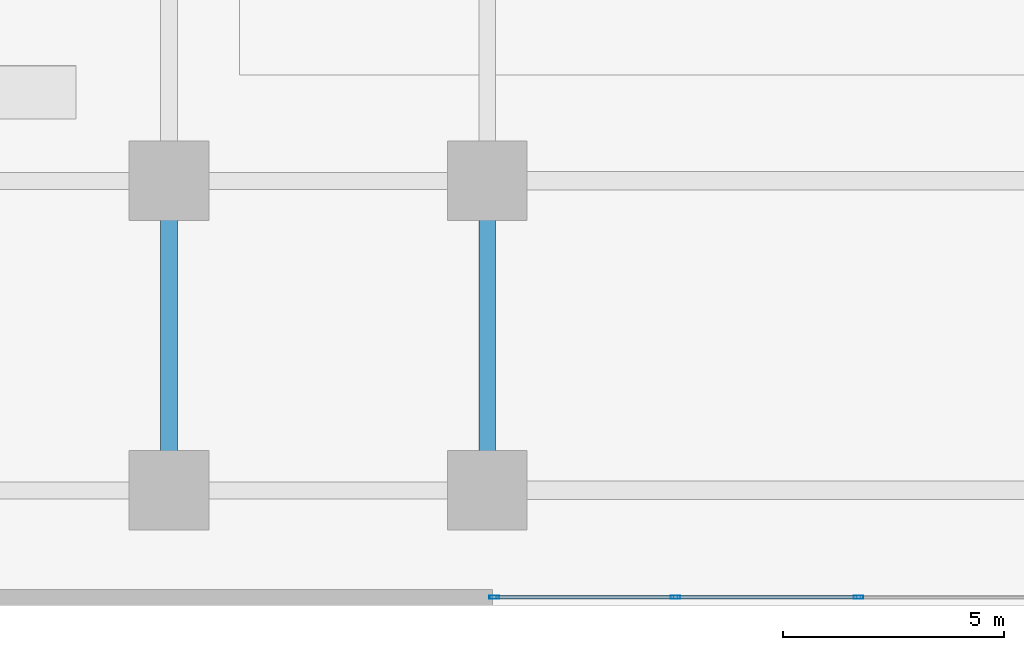
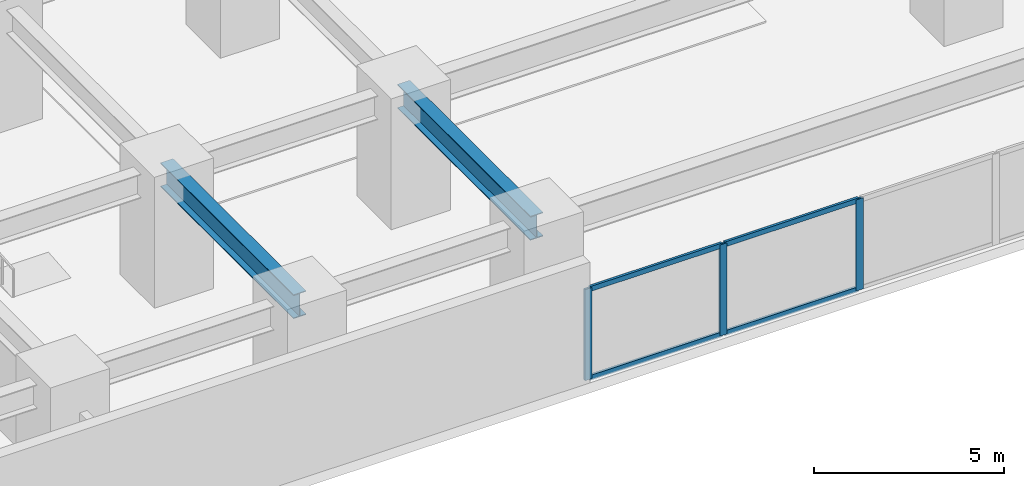
# One storey, part 2 of 22: 7 members, 2 beams, 1 element without a shape of its own.
"""IFC4 building model written with IfcOpenShell, lengths in metres."""

from ifc_helpers import new_model, si_unit, direction, frame, origin, origin_2d, place, context, subcontext, project, spatial, hollow_rectangle, i_section, extrude, material, layer, layer_set, material_profile, profile_set, type_object, element, aggregate, save


model = new_model("IFC4")

# Units and contexts
model_context = context("Model", 3, precision=1e-05, world=origin(), true_north=direction((0.0, 1.0)))
body_context = subcontext(model_context, "Body", "Model", "MODEL_VIEW")
ifc_project = project(units=[si_unit("LENGTHUNIT", "METRE"), si_unit("AREAUNIT", "SQUARE_METRE"), si_unit("VOLUMEUNIT", "CUBIC_METRE"), si_unit("PLANEANGLEUNIT", "RADIAN"), si_unit("MASSUNIT", "GRAM", prefix="KILO")], contexts=[model_context])

# Site, building, storey
site_placement = place(None, origin())
site = spatial("IfcSite", under=ifc_project, at=site_placement, CompositionType="ELEMENT")
building_placement = place(site_placement, origin())
building = spatial("IfcBuilding", under=site, at=building_placement, Name="Kiyonajd Concourse Tower", CompositionType="ELEMENT")
storey_placement = place(building_placement, frame((0.0, 0.0, 4.5)))
storey = spatial("IfcBuildingStorey", under=building, at=storey_placement, Name="L02", CompositionType="ELEMENT", Elevation=4.5)

# Beams
ifc_material_1 = material(Name="Steel ASTM A992 Grade 50", Category="steel")
ifc_material_profile_1 = material_profile(ifc_material_1, i_section(OverallWidth=0.381103515625, OverallDepth=0.77294921875, WebThickness=0.0166015625, FlangeThickness=0.027099609375, at=origin_2d()), Name="W760X257")
ifc_profile_set_1 = profile_set([ifc_material_profile_1], Name="Steel ASTM A992 Grade 50")
beam_type = type_object("IfcBeamType", Name="BM-POD-760", PredefinedType="BEAM", material=ifc_profile_set_1)
for number, where, z_axis, x_axis, name in (
    (1, (32.39990234375, 2.60009765625, 3.493408203125), (0.0, 1.0, 0.0), (-1.0, 0.0, 0.0), "L02 Podium North South Beam"),
    (2, (39.60009765625, 2.60009765625, 3.493408203125), (0.0, 1.0, 0.0), (-1.0, 0.0, 0.0), "L02 Podium North South Beam"),
):
    element("IfcBeam", number, at=place(storey_placement, frame(where, z_axis=z_axis, x_axis=x_axis)), inside=storey, type_object=beam_type, Name=name, PredefinedType="BEAM", context=body_context, shape_type="SweptSolid", body=[
        extrude(i_section(OverallWidth=0.381103515625, OverallDepth=0.77294921875, WebThickness=0.0166015625, FlangeThickness=0.027099609375, at=origin_2d()), origin(), (0.0, 0.0, 1.0), 7.0),
    ])

# Curtain wall, members
ifc_material_2 = material(Name="Thermally Broken Anodised Aluminium", Category="aluminium")
ifc_layer = layer(ifc_material_2, 0.179931640625)
ifc_layer_set = layer_set([ifc_layer], Name="Thermally Broken Anodised Aluminium")
curtain_wall_type = type_object("IfcCurtainWallType", Name="CW-SYS-01", PredefinedType="NOTDEFINED", material=ifc_layer_set)
curtain_wall_placement = place(storey_placement, origin())
curtain_wall = element("IfcCurtainWall", 3, at=curtain_wall_placement, inside=storey, type_object=curtain_wall_type, Name="L02 Unitised Curtain Wall CW1", PredefinedType="NOTDEFINED")
ifc_material_profile_2 = material_profile(ifc_material_2, hollow_rectangle(XDim=0.074951171875, YDim=0.219970703125, WallThickness=0.0048828125, at=origin_2d()), Name="MULL-75x220")
ifc_profile_set_2 = profile_set([ifc_material_profile_2], Name="Thermally Broken Anodised Aluminium")
member_type_1 = type_object("IfcMemberType", Name="MB-CW-MULL2", PredefinedType="MULLION", material=ifc_profile_set_2)
member_1_placement = place(storey_placement, frame((48.0, 0.179931640625, 0.0), z_axis=(0.0, 0.0, 1.0), x_axis=(0.0, -1.0, 0.0)))
member_1 = element("IfcMember", 4, at=member_1_placement, type_object=member_type_1, Name="CW1 mullion 3", PredefinedType="MULLION", context=body_context, shape_type="SweptSolid", body=[
    extrude(hollow_rectangle(XDim=0.074951171875, YDim=0.219970703125, WallThickness=0.0048828125, at=origin_2d()), origin(), (0.0, 0.0, 1.0), 2.929931640625),
])
member_2_placement = place(storey_placement, frame((43.860107421875, 0.179931640625, 0.0), z_axis=(0.0, 0.0, 1.0), x_axis=(0.0, -1.0, 0.0)))
member_2 = element("IfcMember", 5, at=member_2_placement, type_object=member_type_1, Name="CW1 mullion 4", PredefinedType="MULLION", context=body_context, shape_type="SweptSolid", body=[
    extrude(hollow_rectangle(XDim=0.074951171875, YDim=0.219970703125, WallThickness=0.0048828125, at=origin_2d()), origin(), (0.0, 0.0, 1.0), 2.929931640625),
])
member_3_placement = place(storey_placement, frame((39.757568359375, 0.179931640625, 0.0), z_axis=(0.0, 0.0, 1.0), x_axis=(0.0, -1.0, 0.0)))
member_3 = element("IfcMember", 6, at=member_3_placement, type_object=member_type_1, Name="CW1 mullion 5", PredefinedType="MULLION", context=body_context, shape_type="SweptSolid", body=[
    extrude(hollow_rectangle(XDim=0.074951171875, YDim=0.219970703125, WallThickness=0.0048828125, at=origin_2d()), origin(), (0.0, 0.0, 1.0), 2.929931640625),
])
ifc_material_profile_3 = material_profile(ifc_material_2, hollow_rectangle(XDim=0.074951171875, YDim=0.159912109375, WallThickness=0.0048828125, at=origin_2d()), Name="TRAN-75x160")
ifc_profile_set_3 = profile_set([ifc_material_profile_3], Name="Thermally Broken Anodised Aluminium")
member_type_2 = type_object("IfcMemberType", Name="MB-CW-TRAN2", PredefinedType="USERDEFINED", material=ifc_profile_set_3)
member_4_placement = place(storey_placement, frame((47.96240234375, 0.179931640625, 0.03759765625), z_axis=(-1.0, 0.0, 0.0), x_axis=(0.0, -1.0, 0.0)))
member_4 = element("IfcMember", 7, at=member_4_placement, type_object=member_type_2, Name="CW1 transom 3.1", ObjectType="TRANSOM", PredefinedType="USERDEFINED", context=body_context, shape_type="SweptSolid", body=[
    extrude(hollow_rectangle(XDim=0.074951171875, YDim=0.159912109375, WallThickness=0.0048828125, at=origin_2d()), origin(), (0.0, 0.0, 1.0), 4.06494140625),
])
member_5_placement = place(storey_placement, frame((47.96240234375, 0.179931640625, 2.892578125), z_axis=(-1.0, 0.0, 0.0), x_axis=(0.0, -1.0, 0.0)))
member_5 = element("IfcMember", 8, at=member_5_placement, type_object=member_type_2, Name="CW1 transom 3.2", ObjectType="TRANSOM", PredefinedType="USERDEFINED", context=body_context, shape_type="SweptSolid", body=[
    extrude(hollow_rectangle(XDim=0.074951171875, YDim=0.159912109375, WallThickness=0.0048828125, at=origin_2d()), origin(), (0.0, 0.0, 1.0), 4.06494140625),
])
member_6_placement = place(storey_placement, frame((43.822509765625, 0.179931640625, 0.03759765625), z_axis=(-1.0, 0.0, 0.0), x_axis=(0.0, -1.0, 0.0)))
member_6 = element("IfcMember", 9, at=member_6_placement, type_object=member_type_2, Name="CW1 transom 4.1", ObjectType="TRANSOM", PredefinedType="USERDEFINED", context=body_context, shape_type="SweptSolid", body=[
    extrude(hollow_rectangle(XDim=0.074951171875, YDim=0.159912109375, WallThickness=0.0048828125, at=origin_2d()), origin(), (0.0, 0.0, 1.0), 4.027587890625),
])
member_7_placement = place(storey_placement, frame((43.822509765625, 0.179931640625, 2.892578125), z_axis=(-1.0, 0.0, 0.0), x_axis=(0.0, -1.0, 0.0)))
member_7 = element("IfcMember", 10, at=member_7_placement, type_object=member_type_2, Name="CW1 transom 4.2", ObjectType="TRANSOM", PredefinedType="USERDEFINED", context=body_context, shape_type="SweptSolid", body=[
    extrude(hollow_rectangle(XDim=0.074951171875, YDim=0.159912109375, WallThickness=0.0048828125, at=origin_2d()), origin(), (0.0, 0.0, 1.0), 4.027587890625),
])
aggregate(curtain_wall, [member_1, member_2, member_3, member_4, member_5, member_6, member_7])

save(model, "model.ifc")
